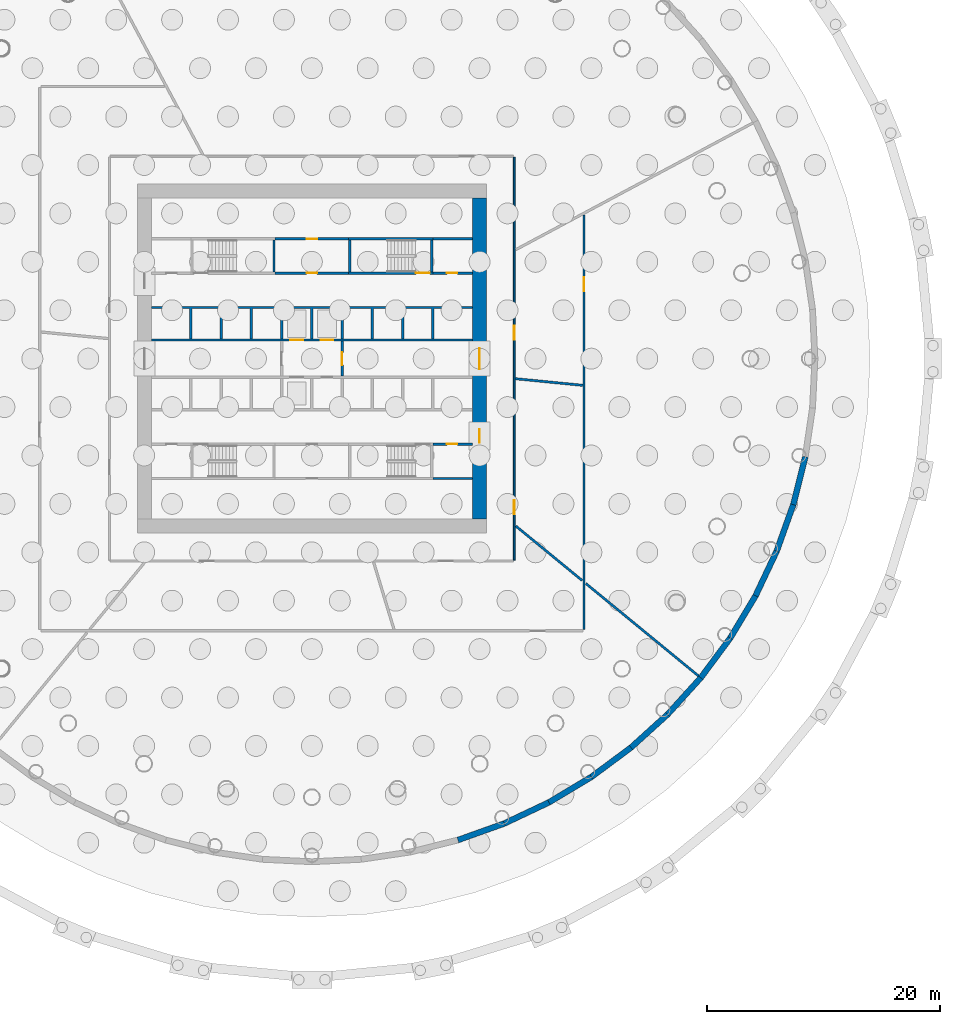
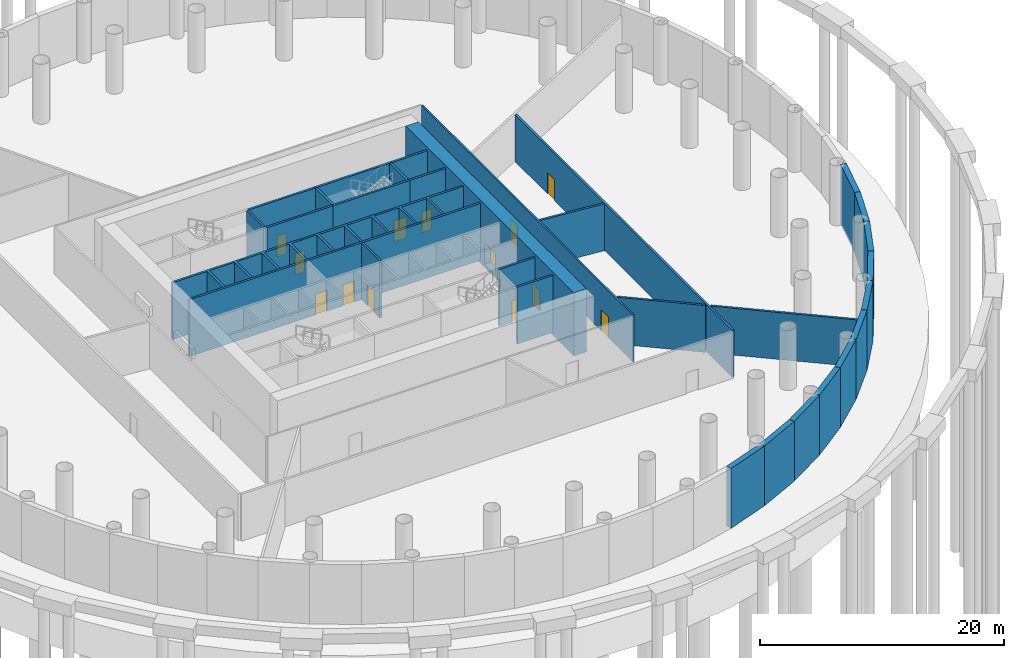
# One storey, part 7 of 12: 31 walls, 13 doors, 13 openings.
"""IFC4 building model written with IfcOpenShell, lengths in metres."""

import ifcopenshell
import ifcopenshell.guid

model = None  # the IFC model being written
_history = None  # IfcOwnerHistory: only IFC2X3 demands one
_inside = {}  # id of a spatial element -> (the spatial element, [elements in it])
_under = {}  # id of a project, library or spatial element -> (it, [spatial elements below it])
_declared = {}  # id of a project -> (the project, [libraries it declares])
_typed = {}  # id of a type object -> (the type object, [elements of that type])
_made_of = {}  # id of a material, layer set ... -> (it, [elements and type objects made of it])


def new_model(schema):
    """Start an empty IFC model of exactly this schema.

    Asked for "IFC4X3", IfcOpenShell would pick the latest addendum, in which some entities
    have other attributes; the version numbers below select the first issue.
    IFC2X3 requires an IfcOwnerHistory on every rooted entity: one is made here for all.
    """
    global model, _history
    if schema == "IFC4X3":
        model = ifcopenshell.file(schema_version=(4, 3, 0, 0))
    else:
        model = ifcopenshell.file(schema=schema)
    _inside.clear()
    _under.clear()
    _declared.clear()
    _typed.clear()
    _made_of.clear()
    _history = None
    if model.schema == "IFC2X3":
        org = make("IfcOrganization", Name="unknown")
        user = make(
            "IfcPersonAndOrganization",
            ThePerson=make("IfcPerson", FamilyName="unknown"),
            TheOrganization=org,
        )
        app = make(
            "IfcApplication",
            ApplicationDeveloper=org,
            Version="unknown",
            ApplicationFullName="unknown",
            ApplicationIdentifier="unknown",
        )
        _history = make(
            "IfcOwnerHistory",
            OwningUser=user,
            OwningApplication=app,
            ChangeAction="ADDED",
            CreationDate=0,
        )
    return model


def make(cls, **values):
    """One entity of the class cls with the attributes given. An attribute that is None is left unset."""
    return model.create_entity(
        cls, **{name: value for name, value in values.items() if value is not None}
    )


def rooted(cls, **values):
    """An entity with a GlobalId (a new one), such as an element, a storey or a relation."""
    return make(cls, GlobalId=ifcopenshell.guid.new(), OwnerHistory=_history, **values)


def si_unit(unit_type, name, prefix=None):
    """IfcSIUnit, for example si_unit("LENGTHUNIT", "METRE", prefix="MILLI")."""
    return make("IfcSIUnit", UnitType=unit_type, Prefix=prefix, Name=name)


def assignment(units):
    """IfcUnitAssignment: the units of a project."""
    return None if units is None else make("IfcUnitAssignment", Units=units)


def point(xyz):
    """IfcCartesianPoint."""
    return None if xyz is None else make("IfcCartesianPoint", Coordinates=xyz)


def direction(xyz):
    """IfcDirection."""
    return None if xyz is None else make("IfcDirection", DirectionRatios=xyz)


def frame(location, z_axis=None, x_axis=None):
    """IfcAxis2Placement3D, a coordinate frame: its origin and axes. An axis left out is left unset."""
    return make(
        "IfcAxis2Placement3D",
        Location=point(location),
        Axis=direction(z_axis),
        RefDirection=direction(x_axis),
    )


def frame_2d(location, x_axis=None):
    """IfcAxis2Placement2D, a coordinate frame in the plane: its origin and x axis."""
    return make(
        "IfcAxis2Placement2D", Location=point(location), RefDirection=direction(x_axis)
    )


def origin():
    """The frame at (0, 0, 0) with its axes left unset."""
    return frame((0.0, 0.0, 0.0))


def place(relative_to, where):
    """IfcLocalPlacement: puts the frame where relative to a parent placement (None: the world)."""
    return make(
        "IfcLocalPlacement", PlacementRelTo=relative_to, RelativePlacement=where
    )


def context(
    kind, dimensions, precision=None, world=None, true_north=None, identifier=None
):
    """IfcGeometricRepresentationContext, for example the 3D "Model" context."""
    return make(
        "IfcGeometricRepresentationContext",
        ContextIdentifier=identifier,
        ContextType=kind,
        CoordinateSpaceDimension=dimensions,
        Precision=precision,
        WorldCoordinateSystem=world,
        TrueNorth=true_north,
    )


def subcontext(parent, identifier, kind, view, scale=None):
    """IfcGeometricRepresentationSubContext, for example "Body" below "Model"."""
    return make(
        "IfcGeometricRepresentationSubContext",
        ContextIdentifier=identifier,
        ContextType=kind,
        ParentContext=parent,
        TargetScale=scale,
        TargetView=view,
    )


def project(units=None, contexts=None):
    """IfcProject with its units and contexts."""
    return rooted(
        "IfcProject",
        Name="project",
        RepresentationContexts=contexts,
        UnitsInContext=assignment(units),
    )


def spatial(cls, under=None, at=None, **own):
    """A site, building, storey or space (cls), placed at a placement, below another one or the project."""
    s = rooted(cls, ObjectPlacement=at, **own)
    if under is not None:
        _under.setdefault(under.id(), (under, []))[1].append(s)
    return s


def polyline(points):
    """IfcPolyline through the points."""
    return make("IfcPolyline", Points=[point(p) for p in points])


def profile(cls, at=None, kind="AREA", **sizes):
    """A parametric profile (cls). Its sizes go by their IFC names, for example OverallWidth=200.0."""
    return make(cls, ProfileType=kind, Position=at, **sizes)


def rectangle(**sizes):
    """IfcRectangleProfileDef."""
    return profile("IfcRectangleProfileDef", **sizes)


def outline(outer, holes=None, kind="AREA"):
    """IfcArbitraryClosedProfileDef: a profile drawn as a closed curve; with holes, ...WithVoids."""
    if holes is None:
        return make("IfcArbitraryClosedProfileDef", ProfileType=kind, OuterCurve=outer)
    return make(
        "IfcArbitraryProfileDefWithVoids",
        ProfileType=kind,
        OuterCurve=outer,
        InnerCurves=holes,
    )


def extrude(swept, where, along, depth):
    """IfcExtrudedAreaSolid: the profile swept, set in the frame where, extruded along a direction by depth."""
    return make(
        "IfcExtrudedAreaSolid",
        SweptArea=swept,
        Position=where,
        ExtrudedDirection=direction(along),
        Depth=depth,
    )


def shape(context_of_items, identifier, shape_type, items):
    """IfcShapeRepresentation: the items that make up one representation, for example the "Body"."""
    return make(
        "IfcShapeRepresentation",
        ContextOfItems=context_of_items,
        RepresentationIdentifier=identifier,
        RepresentationType=shape_type,
        Items=items,
    )


def material(Name=None, Category=None):
    """IfcMaterial."""
    return make("IfcMaterial", Name=Name, Category=Category)


def layer(
    of_material, thickness, ventilated=None, Name=None, Category=None, Priority=None
):
    """IfcMaterialLayer: one layer of a wall or slab, of a material (None: an air gap)."""
    return make(
        "IfcMaterialLayer",
        Material=of_material,
        LayerThickness=thickness,
        IsVentilated=ventilated,
        Name=Name,
        Category=Category,
        Priority=Priority,
    )


def layer_set(layers, Name=None):
    """IfcMaterialLayerSet."""
    return make("IfcMaterialLayerSet", MaterialLayers=layers, LayerSetName=Name)


def made_of(thing, what):
    """Note that an element or type object is made of a material, layer set ...; save() writes the relation."""
    if what is not None:
        _made_of.setdefault(what.id(), (what, []))[1].append(thing)
    return thing


def type_object(cls, material=None, **own):
    """A type object (cls), such as IfcWallType, which elements share."""
    return made_of(rooted(cls, **own), material)


def element(
    cls,
    number,
    at=None,
    inside=None,
    cuts=None,
    type_object=None,
    material=None,
    context=None,
    identifier="Body",
    shape_type=None,
    held_by="IfcProductDefinitionShape",
    body=None,
    shapes=None,
    **own,
):
    """One element of the class cls, such as IfcWall. Its Tag is "e" and its number.

    at: its placement. inside: the storey or other place that contains it. cuts: it is an
    opening in that element (IfcRelVoidsElement). A single representation is given by context,
    identifier, shape_type and body (its items); several are given by shapes. held_by: the class
    of the entity that holds the representations. save() writes the other relations.
    """
    e = rooted(cls, Tag="e%d" % number, ObjectPlacement=at, **own)
    if body is not None:
        shapes = [shape(context, identifier, shape_type, body)]
    if shapes is not None:
        e.Representation = make(held_by, Representations=shapes)
    if inside is not None:
        _inside.setdefault(inside.id(), (inside, []))[1].append(e)
    if cuts is not None:
        rooted(
            "IfcRelVoidsElement", RelatingBuildingElement=cuts, RelatedOpeningElement=e
        )
    if type_object is not None:
        _typed.setdefault(type_object.id(), (type_object, []))[1].append(e)
    return made_of(e, material)


def fill(opening, filler):
    """IfcRelFillsElement: the door or window that sits in an opening."""
    return rooted(
        "IfcRelFillsElement",
        RelatingOpeningElement=opening,
        RelatedBuildingElement=filler,
    )


def aggregate(whole, parts):
    """IfcRelAggregates: a whole, such as a stair, and the parts it consists of."""
    return rooted("IfcRelAggregates", RelatingObject=whole, RelatedObjects=parts)


def save(model, path):
    """Write the relations noted so far, then the file.

    IfcRelAggregates (storeys below a building ...), IfcRelContainedInSpatialStructure (elements
    in a storey), IfcRelDefinesByType, IfcRelAssociatesMaterial and IfcRelDeclares: one each for
    every whole, place, type object, material and project.
    """
    for whole, parts in _under.values():
        aggregate(whole, parts)
    for where, things in _inside.values():
        rooted(
            "IfcRelContainedInSpatialStructure",
            RelatedElements=things,
            RelatingStructure=where,
        )
    for kind, things in _typed.values():
        rooted("IfcRelDefinesByType", RelatedObjects=things, RelatingType=kind)
    for what, things in _made_of.values():
        rooted("IfcRelAssociatesMaterial", RelatedObjects=things, RelatingMaterial=what)
    for by, libraries in _declared.values():
        rooted("IfcRelDeclares", RelatingContext=by, RelatedDefinitions=libraries)
    model.write(path)


model = new_model("IFC4")

# Units and contexts
model_context = context("Model", 3, precision=1e-05, world=origin(), true_north=direction((0.0, 1.0)))
body_context = subcontext(model_context, "Body", "Model", "MODEL_VIEW")
ifc_project = project(units=[si_unit("LENGTHUNIT", "METRE"), si_unit("AREAUNIT", "SQUARE_METRE"), si_unit("VOLUMEUNIT", "CUBIC_METRE"), si_unit("PLANEANGLEUNIT", "RADIAN"), si_unit("MASSUNIT", "GRAM", prefix="KILO")], contexts=[model_context])

# Site, building, storey
site_placement = place(None, origin())
site = spatial("IfcSite", under=ifc_project, at=site_placement, CompositionType="ELEMENT")
building_placement = place(site_placement, origin())
building = spatial("IfcBuilding", under=site, at=building_placement, Name="Corvane Civic Tower", CompositionType="ELEMENT")
storey_placement = place(building_placement, frame((0.0, 0.0, -6.0)))
storey = spatial("IfcBuildingStorey", under=building, at=storey_placement, Name="B1", CompositionType="ELEMENT", Elevation=-6.0)

# Walls
ifc_material_1 = material(Name="Concrete C40/50", Category="concrete")
ifc_layer_1 = layer(ifc_material_1, 0.5)
ifc_layer_set_1 = layer_set([ifc_layer_1], Name="Concrete C40/50")
wall_type_1 = type_object("IfcWallType", Name="BASEMENT RETAINING WALL 500", PredefinedType="SOLIDWALL", material=ifc_layer_set_1)
wall_1_placement = place(storey_placement, frame((0.0, 0.0, -0.300048828125)))
element("IfcWall", 1, at=wall_1_placement, inside=storey, type_object=wall_type_1, Name="Basement retaining wall 36", PredefinedType="SOLIDWALL", context=body_context, shape_type="SweptSolid", body=[
    extrude(outline(polyline([(12.482177734375, -41.1484375), (16.455322265625, -39.726806640625), (16.64697265625, -40.189208984375), (12.62744140625, -41.62744140625), (12.482177734375, -41.1484375)])), origin(), (0.0, 0.0, 1.0), 6.0),
])
wall_2_placement = place(storey_placement, frame((0.0, 0.0, -0.300048828125)))
element("IfcWall", 2, at=wall_2_placement, inside=storey, type_object=wall_type_1, Name="Basement retaining wall 37", PredefinedType="SOLIDWALL", context=body_context, shape_type="SweptSolid", body=[
    extrude(outline(polyline([(16.455322265625, -39.726806640625), (20.27001953125, -37.922607421875), (20.506103515625, -38.364013671875), (16.64697265625, -40.189208984375), (16.455322265625, -39.726806640625)])), origin(), (0.0, 0.0, 1.0), 6.0),
])
wall_3_placement = place(storey_placement, frame((0.0, 0.0, -0.300048828125)))
element("IfcWall", 3, at=wall_3_placement, inside=storey, type_object=wall_type_1, Name="Basement retaining wall 38", PredefinedType="SOLIDWALL", context=body_context, shape_type="SweptSolid", body=[
    extrude(outline(polyline([(20.27001953125, -37.922607421875), (23.889404296875, -35.753173828125), (24.167724609375, -36.16943359375), (20.506103515625, -38.364013671875), (20.27001953125, -37.922607421875)])), origin(), (0.0, 0.0, 1.0), 6.0),
])
wall_4_placement = place(storey_placement, frame((0.0, 0.0, -0.300048828125)))
element("IfcWall", 4, at=wall_4_placement, inside=storey, type_object=wall_type_1, Name="Basement retaining wall 39", PredefinedType="SOLIDWALL", context=body_context, shape_type="SweptSolid", body=[
    extrude(outline(polyline([(23.889404296875, -35.753173828125), (27.27880859375, -33.239501953125), (27.596435546875, -33.62646484375), (24.167724609375, -36.16943359375), (23.889404296875, -35.753173828125)])), origin(), (0.0, 0.0, 1.0), 6.0),
])
wall_5_placement = place(storey_placement, frame((0.0, 0.0, -0.300048828125)))
element("IfcWall", 5, at=wall_5_placement, inside=storey, type_object=wall_type_1, Name="Basement retaining wall 40", PredefinedType="SOLIDWALL", context=body_context, shape_type="SweptSolid", body=[
    extrude(outline(polyline([(27.27880859375, -33.239501953125), (30.405517578125, -30.405517578125), (30.759521484375, -30.759521484375), (27.596435546875, -33.62646484375), (27.27880859375, -33.239501953125)])), origin(), (0.0, 0.0, 1.0), 6.0),
])
wall_6_placement = place(storey_placement, frame((0.0, 0.0, -0.300048828125)))
element("IfcWall", 6, at=wall_6_placement, inside=storey, type_object=wall_type_1, Name="Basement retaining wall 41", PredefinedType="SOLIDWALL", context=body_context, shape_type="SweptSolid", body=[
    extrude(outline(polyline([(30.405517578125, -30.405517578125), (33.239501953125, -27.27880859375), (33.62646484375, -27.596435546875), (30.759521484375, -30.759521484375), (30.405517578125, -30.405517578125)])), origin(), (0.0, 0.0, 1.0), 6.0),
])
wall_7_placement = place(storey_placement, frame((0.0, 0.0, -0.300048828125)))
element("IfcWall", 7, at=wall_7_placement, inside=storey, type_object=wall_type_1, Name="Basement retaining wall 42", PredefinedType="SOLIDWALL", context=body_context, shape_type="SweptSolid", body=[
    extrude(outline(polyline([(33.239501953125, -27.27880859375), (35.753173828125, -23.889404296875), (36.16943359375, -24.167724609375), (33.62646484375, -27.596435546875), (33.239501953125, -27.27880859375)])), origin(), (0.0, 0.0, 1.0), 6.0),
])
wall_8_placement = place(storey_placement, frame((0.0, 0.0, -0.300048828125)))
element("IfcWall", 8, at=wall_8_placement, inside=storey, type_object=wall_type_1, Name="Basement retaining wall 43", PredefinedType="SOLIDWALL", context=body_context, shape_type="SweptSolid", body=[
    extrude(outline(polyline([(35.753173828125, -23.889404296875), (37.922607421875, -20.27001953125), (38.364013671875, -20.506103515625), (36.16943359375, -24.167724609375), (35.753173828125, -23.889404296875)])), origin(), (0.0, 0.0, 1.0), 6.0),
])
wall_9_placement = place(storey_placement, frame((0.0, 0.0, -0.300048828125)))
element("IfcWall", 9, at=wall_9_placement, inside=storey, type_object=wall_type_1, Name="Basement retaining wall 44", PredefinedType="SOLIDWALL", context=body_context, shape_type="SweptSolid", body=[
    extrude(outline(polyline([(37.922607421875, -20.27001953125), (39.726806640625, -16.455322265625), (40.189208984375, -16.64697265625), (38.364013671875, -20.506103515625), (37.922607421875, -20.27001953125)])), origin(), (0.0, 0.0, 1.0), 6.0),
])
wall_10_placement = place(storey_placement, frame((0.0, 0.0, -0.300048828125)))
element("IfcWall", 10, at=wall_10_placement, inside=storey, type_object=wall_type_1, Name="Basement retaining wall 45", PredefinedType="SOLIDWALL", context=body_context, shape_type="SweptSolid", body=[
    extrude(outline(polyline([(39.726806640625, -16.455322265625), (41.1484375, -12.482177734375), (41.62744140625, -12.62744140625), (40.189208984375, -16.64697265625), (39.726806640625, -16.455322265625)])), origin(), (0.0, 0.0, 1.0), 6.0),
])
wall_11_placement = place(storey_placement, frame((0.0, 0.0, -0.300048828125)))
element("IfcWall", 11, at=wall_11_placement, inside=storey, type_object=wall_type_1, Name="Basement retaining wall 46", PredefinedType="SOLIDWALL", context=body_context, shape_type="SweptSolid", body=[
    extrude(outline(polyline([(41.1484375, -12.482177734375), (42.173828125, -8.388916015625), (42.664794921875, -8.486572265625), (41.62744140625, -12.62744140625), (41.1484375, -12.482177734375)])), origin(), (0.0, 0.0, 1.0), 6.0),
])

# Wall, openings, doors
ifc_material_2 = material(Name="Concrete C80/95", Category="concrete")
ifc_layer_2 = layer(ifc_material_2, 1.199951171875)
ifc_layer_set_2 = layer_set([ifc_layer_2], Name="Concrete C80/95")
wall_type_2 = type_object("IfcWallType", Name="CORE WALL 1200 C80/95", PredefinedType="SHEAR", material=ifc_layer_set_2)
wall_12_placement = place(storey_placement, frame((14.39990234375, -13.800048828125, -0.300048828125), z_axis=(0.0, 0.0, 1.0), x_axis=(0.0, 1.0, 0.0)))
wall_12 = element("IfcWall", 12, at=wall_12_placement, inside=storey, type_object=wall_type_2, Name="W-B1-core-E", PredefinedType="SHEAR", context=body_context, shape_type="SweptSolid", body=[
    extrude(rectangle(XDim=27.60009765625, YDim=1.199951171875, at=frame_2d((13.800048828125, 0.0))), origin(), (0.0, 0.0, 1.0), 6.300048828125),
])
opening_1_placement = place(wall_12_placement, frame((12.89990234375, 0.0, 0.300048828125)))
opening_1 = element("IfcOpeningElement", 13, at=opening_1_placement, cuts=wall_12, Name="Opening B1.C17", PredefinedType="OPENING", context=body_context, shape_type="SweptSolid", body=[
    extrude(rectangle(XDim=1.800048828125, YDim=2.10009765625, at=frame_2d((0.89990234375, 1.050048828125))), frame((0.0, 0.60986328125, 0.0), z_axis=(0.0, -1.0, 0.0), x_axis=(1.0, 0.0, 0.0)), (0.0, 0.0, 1.0), 1.219970703125),
])
opening_2_placement = place(wall_12_placement, frame((6.550048828125, 0.0, 0.300048828125)))
opening_2 = element("IfcOpeningElement", 14, at=opening_2_placement, cuts=wall_12, Name="Opening B1.C19", PredefinedType="OPENING", context=body_context, shape_type="SweptSolid", body=[
    extrude(rectangle(XDim=1.199951171875, YDim=2.10009765625, at=frame_2d((0.60009765625, 1.050048828125))), frame((0.0, 0.60986328125, 0.0), z_axis=(0.0, -1.0, 0.0), x_axis=(1.0, 0.0, 0.0)), (0.0, 0.0, 1.0), 1.219970703125),
])
ifc_material_3 = material(Name="Steel fire door leaf", Category="steel")
door_type_1 = type_object("IfcDoorType", Name="CR-DOOR-CORE-1800", OperationType="DOUBLE_DOOR_SINGLE_SWING", PredefinedType="DOOR", material=ifc_material_3)
door_1_placement = place(opening_1_placement, origin())
door_1 = element("IfcDoor", 15, at=door_1_placement, inside=storey, type_object=door_type_1, Name="B1 door", OperationType="DOUBLE_DOOR_SINGLE_SWING", OverallHeight=2.10009765625, OverallWidth=1.800048828125, PredefinedType="DOOR", context=body_context, shape_type="SweptSolid", body=[
    extrude(rectangle(XDim=1.800048828125, YDim=2.10009765625, at=frame_2d((0.89990234375, 1.050048828125))), frame((0.0, 0.02490234375, 0.0), z_axis=(0.0, -1.0, 0.0), x_axis=(1.0, 0.0, 0.0)), (0.0, 0.0, 1.0), 0.050048828125),
])
fill(opening_1, door_1)
door_2_placement = place(opening_2_placement, origin())
door_2 = element("IfcDoor", 16, at=door_2_placement, inside=storey, type_object=door_type_1, Name="B1 door", OperationType="DOUBLE_DOOR_SINGLE_SWING", OverallHeight=2.10009765625, OverallWidth=1.199951171875, PredefinedType="DOOR", context=body_context, shape_type="SweptSolid", body=[
    extrude(rectangle(XDim=1.199951171875, YDim=2.10009765625, at=frame_2d((0.60009765625, 1.050048828125))), frame((0.0, 0.02490234375, 0.0), z_axis=(0.0, -1.0, 0.0), x_axis=(1.0, 0.0, 0.0)), (0.0, 0.0, 1.0), 0.050048828125),
])
fill(opening_2, door_2)

# Wall, opening, door
ifc_material_4 = material(Name="Concrete C30/37", Category="concrete")
ifc_layer_3 = layer(ifc_material_4, 0.199951171875)
ifc_layer_set_3 = layer_set([ifc_layer_3], Name="Concrete C30/37")
wall_type_3 = type_object("IfcWallType", Name="CR-WALL-200", PredefinedType="PARTITIONING", material=ifc_layer_set_3)
wall_13_placement = place(storey_placement, frame((10.39990234375, -7.35009765625, 0.0), z_axis=(0.0, 0.0, 1.0), x_axis=(1.0, 0.0, 0.0)))
wall_13 = element("IfcWall", 17, at=wall_13_placement, inside=storey, type_object=wall_type_3, Name="B1 core partition wall", PredefinedType="PARTITIONING", context=body_context, shape_type="SweptSolid", body=[
    extrude(rectangle(XDim=3.400146484375, YDim=0.199951171875, at=frame_2d((1.7001953125, 0.0))), origin(), (0.0, 0.0, 1.0), 5.699951171875),
])
opening_3_placement = place(wall_13_placement, frame((1.199951171875, 0.0, 0.0)))
opening_3 = element("IfcOpeningElement", 18, at=opening_3_placement, cuts=wall_13, Name="Opening B1.C09", PredefinedType="OPENING", context=body_context, shape_type="SweptSolid", body=[
    extrude(rectangle(XDim=0.89990234375, YDim=2.10009765625, at=frame_2d((0.449951171875, 1.050048828125))), frame((0.0, 0.10986328125, 0.0), z_axis=(0.0, -1.0, 0.0), x_axis=(1.0, 0.0, 0.0)), (0.0, 0.0, 1.0), 0.219970703125),
])
ifc_material_5 = material(Name="Steel fire door leaf", Category="steel")
door_type_2 = type_object("IfcDoorType", Name="CR-DOOR-900", OperationType="SINGLE_SWING_LEFT", PredefinedType="DOOR", material=ifc_material_5)
door_3_placement = place(opening_3_placement, origin())
door_3 = element("IfcDoor", 19, at=door_3_placement, inside=storey, type_object=door_type_2, Name="B1 door", OperationType="SINGLE_SWING_LEFT", OverallHeight=2.10009765625, OverallWidth=0.89990234375, PredefinedType="DOOR", context=body_context, shape_type="SweptSolid", body=[
    extrude(rectangle(XDim=0.89990234375, YDim=2.10009765625, at=frame_2d((0.449951171875, 1.050048828125))), frame((0.0, 0.02490234375, 0.0), z_axis=(0.0, -1.0, 0.0), x_axis=(1.0, 0.0, 0.0)), (0.0, 0.0, 1.0), 0.050048828125),
])
fill(opening_3, door_3)

# Wall, openings, doors
wall_14_placement = place(storey_placement, frame((-13.800048828125, 1.60009765625, 0.0), z_axis=(0.0, 0.0, 1.0), x_axis=(1.0, 0.0, 0.0)))
wall_14 = element("IfcWall", 20, at=wall_14_placement, inside=storey, type_object=wall_type_3, Name="B1 lift shaft wall", PredefinedType="PARTITIONING", context=body_context, shape_type="SweptSolid", body=[
    extrude(rectangle(XDim=27.60009765625, YDim=0.199951171875, at=frame_2d((13.800048828125, 0.0))), origin(), (0.0, 0.0, 1.0), 5.699951171875),
])
opening_4_placement = place(wall_14_placement, frame((11.949951171875, 0.0, 0.0)))
opening_4 = element("IfcOpeningElement", 21, at=opening_4_placement, cuts=wall_14, Name="Opening LD", PredefinedType="OPENING", context=body_context, shape_type="SweptSolid", body=[
    extrude(rectangle(XDim=1.10009765625, YDim=2.10009765625, at=frame_2d((0.550048828125, 1.050048828125))), frame((0.0, 0.10986328125, 0.0), z_axis=(0.0, -1.0, 0.0), x_axis=(1.0, 0.0, 0.0)), (0.0, 0.0, 1.0), 0.219970703125),
])
opening_5_placement = place(wall_14_placement, frame((14.550048828125, 0.0, 0.0)))
opening_5 = element("IfcOpeningElement", 22, at=opening_5_placement, cuts=wall_14, Name="Opening LD", PredefinedType="OPENING", context=body_context, shape_type="SweptSolid", body=[
    extrude(rectangle(XDim=1.10009765625, YDim=2.10009765625, at=frame_2d((0.550048828125, 1.050048828125))), frame((0.0, 0.10986328125, 0.0), z_axis=(0.0, -1.0, 0.0), x_axis=(1.0, 0.0, 0.0)), (0.0, 0.0, 1.0), 0.219970703125),
])
ifc_material_6 = material(Name="Stainless steel 316 door leaves", Category="steel")
door_type_3 = type_object("IfcDoorType", Name="LD", OperationType="DOUBLE_DOOR_SLIDING", PredefinedType="DOOR", material=ifc_material_6)
door_4_placement = place(opening_4_placement, origin())
door_4 = element("IfcDoor", 23, at=door_4_placement, inside=storey, type_object=door_type_3, Name="B1 landing door", OperationType="DOUBLE_DOOR_SLIDING", OverallHeight=2.10009765625, OverallWidth=1.10009765625, PredefinedType="DOOR", context=body_context, shape_type="SweptSolid", body=[
    extrude(rectangle(XDim=1.10009765625, YDim=2.10009765625, at=frame_2d((0.550048828125, 1.050048828125))), frame((0.0, 0.02490234375, 0.0), z_axis=(0.0, -1.0, 0.0), x_axis=(1.0, 0.0, 0.0)), (0.0, 0.0, 1.0), 0.050048828125),
])
fill(opening_4, door_4)
door_5_placement = place(opening_5_placement, origin())
door_5 = element("IfcDoor", 24, at=door_5_placement, inside=storey, type_object=door_type_3, Name="B1 landing door", OperationType="DOUBLE_DOOR_SLIDING", OverallHeight=2.10009765625, OverallWidth=1.10009765625, PredefinedType="DOOR", context=body_context, shape_type="SweptSolid", body=[
    extrude(rectangle(XDim=1.10009765625, YDim=2.10009765625, at=frame_2d((0.550048828125, 1.050048828125))), frame((0.0, 0.02490234375, 0.0), z_axis=(0.0, -1.0, 0.0), x_axis=(1.0, 0.0, 0.0)), (0.0, 0.0, 1.0), 0.050048828125),
])
fill(opening_5, door_5)

# Wall, opening, door
wall_15_placement = place(storey_placement, frame((-3.14990234375, 7.35009765625, 0.0), z_axis=(0.0, 0.0, 1.0), x_axis=(1.0, 0.0, 0.0)))
wall_15 = element("IfcWall", 25, at=wall_15_placement, inside=storey, type_object=wall_type_3, Name="B1 core partition wall", PredefinedType="PARTITIONING", context=body_context, shape_type="SweptSolid", body=[
    extrude(rectangle(XDim=6.2998046875, YDim=0.199951171875, at=frame_2d((3.14990234375, 0.0))), origin(), (0.0, 0.0, 1.0), 5.699951171875),
])
opening_6_placement = place(wall_15_placement, frame((2.699951171875, 0.0, 0.0)))
opening_6 = element("IfcOpeningElement", 26, at=opening_6_placement, cuts=wall_15, Name="Opening B1.C02", PredefinedType="OPENING", context=body_context, shape_type="SweptSolid", body=[
    extrude(rectangle(XDim=0.89990234375, YDim=2.10009765625, at=frame_2d((0.449951171875, 1.050048828125))), frame((0.0, 0.10986328125, 0.0), z_axis=(0.0, -1.0, 0.0), x_axis=(1.0, 0.0, 0.0)), (0.0, 0.0, 1.0), 0.219970703125),
])
door_6_placement = place(opening_6_placement, origin())
door_6 = element("IfcDoor", 27, at=door_6_placement, inside=storey, type_object=door_type_2, Name="B1 door", OperationType="SINGLE_SWING_LEFT", OverallHeight=2.10009765625, OverallWidth=0.89990234375, PredefinedType="DOOR", context=body_context, shape_type="SweptSolid", body=[
    extrude(rectangle(XDim=0.89990234375, YDim=2.10009765625, at=frame_2d((0.449951171875, 1.050048828125))), frame((0.0, 0.02490234375, 0.0), z_axis=(0.0, -1.0, 0.0), x_axis=(1.0, 0.0, 0.0)), (0.0, 0.0, 1.0), 0.050048828125),
])
fill(opening_6, door_6)

wall_16_placement = place(storey_placement, frame((10.39990234375, 7.35009765625, 0.0), z_axis=(0.0, 0.0, 1.0), x_axis=(1.0, 0.0, 0.0)))
wall_16 = element("IfcWall", 28, at=wall_16_placement, inside=storey, type_object=wall_type_3, Name="B1 core partition wall", PredefinedType="PARTITIONING", context=body_context, shape_type="SweptSolid", body=[
    extrude(rectangle(XDim=3.400146484375, YDim=0.199951171875, at=frame_2d((1.7001953125, 0.0))), origin(), (0.0, 0.0, 1.0), 5.699951171875),
])
opening_7_placement = place(wall_16_placement, frame((1.199951171875, 0.0, 0.0)))
opening_7 = element("IfcOpeningElement", 29, at=opening_7_placement, cuts=wall_16, Name="Opening B1.C08", PredefinedType="OPENING", context=body_context, shape_type="SweptSolid", body=[
    extrude(rectangle(XDim=0.89990234375, YDim=2.10009765625, at=frame_2d((0.449951171875, 1.050048828125))), frame((0.0, 0.10986328125, 0.0), z_axis=(0.0, -1.0, 0.0), x_axis=(1.0, 0.0, 0.0)), (0.0, 0.0, 1.0), 0.219970703125),
])
door_7_placement = place(opening_7_placement, origin())
door_7 = element("IfcDoor", 30, at=door_7_placement, inside=storey, type_object=door_type_2, Name="B1 door", OperationType="SINGLE_SWING_LEFT", OverallHeight=2.10009765625, OverallWidth=0.89990234375, PredefinedType="DOOR", context=body_context, shape_type="SweptSolid", body=[
    extrude(rectangle(XDim=0.89990234375, YDim=2.10009765625, at=frame_2d((0.449951171875, 1.050048828125))), frame((0.0, 0.02490234375, 0.0), z_axis=(0.0, -1.0, 0.0), x_axis=(1.0, 0.0, 0.0)), (0.0, 0.0, 1.0), 0.050048828125),
])
fill(opening_7, door_7)

wall_17_placement = place(storey_placement, frame((-3.14990234375, 10.300048828125, 0.0), z_axis=(0.0, 0.0, 1.0), x_axis=(1.0, 0.0, 0.0)))
wall_17 = element("IfcWall", 31, at=wall_17_placement, inside=storey, type_object=wall_type_3, Name="B1 partition wall", PredefinedType="PARTITIONING", context=body_context, shape_type="SweptSolid", body=[
    extrude(rectangle(XDim=6.2998046875, YDim=0.199951171875, at=frame_2d((3.14990234375, 0.0))), origin(), (0.0, 0.0, 1.0), 5.699951171875),
])
opening_8_placement = place(wall_17_placement, frame((2.699951171875, 0.0, 0.0)))
opening_8 = element("IfcOpeningElement", 32, at=opening_8_placement, cuts=wall_17, Name="Opening B1.C04", PredefinedType="OPENING", context=body_context, shape_type="SweptSolid", body=[
    extrude(rectangle(XDim=0.89990234375, YDim=2.10009765625, at=frame_2d((0.449951171875, 1.050048828125))), frame((0.0, 0.10986328125, 0.0), z_axis=(0.0, -1.0, 0.0), x_axis=(1.0, 0.0, 0.0)), (0.0, 0.0, 1.0), 0.219970703125),
])
door_8_placement = place(opening_8_placement, origin())
door_8 = element("IfcDoor", 33, at=door_8_placement, inside=storey, type_object=door_type_2, Name="B1 door", OperationType="SINGLE_SWING_LEFT", OverallHeight=2.10009765625, OverallWidth=0.89990234375, PredefinedType="DOOR", context=body_context, shape_type="SweptSolid", body=[
    extrude(rectangle(XDim=0.89990234375, YDim=2.10009765625, at=frame_2d((0.449951171875, 1.050048828125))), frame((0.0, 0.02490234375, 0.0), z_axis=(0.0, -1.0, 0.0), x_axis=(1.0, 0.0, 0.0)), (0.0, 0.0, 1.0), 0.050048828125),
])
fill(opening_8, door_8)

wall_18_placement = place(storey_placement, frame((2.60009765625, -1.5, 0.0), z_axis=(0.0, 0.0, 1.0), x_axis=(0.0, 1.0, 0.0)))
wall_18 = element("IfcWall", 34, at=wall_18_placement, inside=storey, type_object=wall_type_3, Name="B1 firefighting lobby wall", PredefinedType="PARTITIONING", context=body_context, shape_type="SweptSolid", body=[
    extrude(rectangle(XDim=3.0, YDim=0.199951171875, at=frame_2d((1.5, 0.0))), origin(), (0.0, 0.0, 1.0), 5.699951171875),
])
opening_9_placement = place(wall_18_placement, frame((0.949951171875, 0.0, 0.0)))
opening_9 = element("IfcOpeningElement", 35, at=opening_9_placement, cuts=wall_18, Name="Opening B1.C15", PredefinedType="OPENING", context=body_context, shape_type="SweptSolid", body=[
    extrude(rectangle(XDim=1.10009765625, YDim=2.10009765625, at=frame_2d((0.550048828125, 1.050048828125))), frame((0.0, 0.10986328125, 0.0), z_axis=(0.0, -1.0, 0.0), x_axis=(1.0, 0.0, 0.0)), (0.0, 0.0, 1.0), 0.219970703125),
])
ifc_material_7 = material(Name="Steel fire door leaf", Category="steel")
door_type_4 = type_object("IfcDoorType", Name="CR-DOOR-FFL-1100", OperationType="SINGLE_SWING_LEFT", PredefinedType="DOOR", material=ifc_material_7)
door_9_placement = place(opening_9_placement, origin())
door_9 = element("IfcDoor", 36, at=door_9_placement, inside=storey, type_object=door_type_4, Name="B1 lobby door", OperationType="SINGLE_SWING_LEFT", OverallHeight=2.10009765625, OverallWidth=1.10009765625, PredefinedType="DOOR", context=body_context, shape_type="SweptSolid", body=[
    extrude(rectangle(XDim=1.10009765625, YDim=2.10009765625, at=frame_2d((0.550048828125, 1.050048828125))), frame((0.0, 0.02490234375, 0.0), z_axis=(0.0, -1.0, 0.0), x_axis=(1.0, 0.0, 0.0)), (0.0, 0.0, 1.0), 0.050048828125),
])
fill(opening_9, door_9)

# Walls
wall_19_placement = place(storey_placement, origin())
element("IfcWall", 37, at=wall_19_placement, inside=storey, type_object=wall_type_3, Name="B1 core partition wall", PredefinedType="PARTITIONING", context=body_context, shape_type="SweptSolid", body=[
    extrude(outline(polyline([(-7.699951171875, 4.300048828125), (-7.699951171875, 1.699951171875), (-7.89990234375, 1.699951171875), (-7.89990234375, 4.300048828125), (-10.300048828125, 4.300048828125), (-10.300048828125, 1.699951171875), (-10.5, 1.699951171875), (-10.5, 4.300048828125), (-13.800048828125, 4.300048828125), (-13.800048828125, 4.5), (13.800048828125, 4.5), (13.800048828125, 4.300048828125), (10.5, 4.300048828125), (10.5, 1.699951171875), (10.300048828125, 1.699951171875), (10.300048828125, 4.300048828125), (7.89990234375, 4.300048828125), (7.89990234375, 1.699951171875), (7.699951171875, 1.699951171875), (7.699951171875, 4.300048828125), (5.300048828125, 4.300048828125), (5.300048828125, 1.699951171875), (5.10009765625, 1.699951171875), (5.10009765625, 4.300048828125), (2.699951171875, 4.300048828125), (2.699951171875, 1.699951171875), (2.5, 1.699951171875), (2.5, 4.300048828125), (0.10009765625, 4.300048828125), (0.10009765625, 1.699951171875), (-0.10009765625, 1.699951171875), (-0.10009765625, 4.300048828125), (-2.5, 4.300048828125), (-2.5, 1.699951171875), (-2.699951171875, 1.699951171875), (-2.699951171875, 4.300048828125), (-5.10009765625, 4.300048828125), (-5.10009765625, 1.699951171875), (-5.300048828125, 1.699951171875), (-5.300048828125, 4.300048828125), (-7.699951171875, 4.300048828125)])), origin(), (0.0, 0.0, 1.0), 5.699951171875),
])
wall_20_placement = place(storey_placement, origin())
element("IfcWall", 38, at=wall_20_placement, inside=storey, type_object=wall_type_3, Name="B1 core partition wall", PredefinedType="PARTITIONING", context=body_context, shape_type="SweptSolid", body=[
    extrude(outline(polyline([(13.800048828125, -10.39990234375), (10.39990234375, -10.39990234375), (10.39990234375, -10.199951171875), (13.800048828125, -10.199951171875), (13.800048828125, -10.39990234375)])), origin(), (0.0, 0.0, 1.0), 5.699951171875),
])
wall_21_placement = place(storey_placement, origin())
element("IfcWall", 39, at=wall_21_placement, inside=storey, type_object=wall_type_3, Name="B1 core partition wall", PredefinedType="PARTITIONING", context=body_context, shape_type="SweptSolid", body=[
    extrude(outline(polyline([(10.39990234375, 10.199951171875), (10.39990234375, 10.39990234375), (13.800048828125, 10.39990234375), (13.800048828125, 10.199951171875), (10.39990234375, 10.199951171875)])), origin(), (0.0, 0.0, 1.0), 5.699951171875),
])
ifc_material_8 = material(Name="Gypsum fibreboard")
ifc_layer_4 = layer(ifc_material_8, 0.199951171875)
ifc_layer_set_4 = layer_set([ifc_layer_4], Name="Gypsum fibreboard")
wall_type_4 = type_object("IfcWallType", Name="Plant and refuge wall 200 EI 120", PredefinedType="PARTITIONING", material=ifc_layer_set_4)
wall_22_placement = place(storey_placement, frame((23.5634765625, -19.337890625, 0.0), z_axis=(0.0, 0.0, 1.0), x_axis=(0.773008379744, -0.634395810867, 0.0)))
element("IfcWall", 40, at=wall_22_placement, inside=storey, type_object=wall_type_4, Name="Partition B1.002", PredefinedType="PARTITIONING", context=body_context, shape_type="SweptSolid", body=[
    extrude(rectangle(XDim=12.517578125, YDim=0.199951171875, at=frame_2d((6.2587890625, 0.0))), origin(), (0.0, 0.0, 1.0), 4.699951171875),
])

# Wall, opening, door
wall_23_placement = place(storey_placement, frame((23.39990234375, -23.300048828125, 0.0), z_axis=(0.0, 0.0, 1.0), x_axis=(0.0, 1.0, 0.0)))
wall_23 = element("IfcWall", 41, at=wall_23_placement, inside=storey, type_object=wall_type_4, Name="Partition B1.006", PredefinedType="PARTITIONING", context=body_context, shape_type="SweptSolid", body=[
    extrude(rectangle(XDim=35.640869140625, YDim=0.199951171875, at=frame_2d((17.8203125, 0.0))), origin(), (0.0, 0.0, 1.0), 4.699951171875),
])
opening_10_placement = place(wall_23_placement, frame((29.11572265625, 0.0, 0.0)))
opening_10 = element("IfcOpeningElement", 42, at=opening_10_placement, cuts=wall_23, Name="Opening B1.005", PredefinedType="OPENING", context=body_context, shape_type="SweptSolid", body=[
    extrude(rectangle(XDim=1.199951171875, YDim=2.10009765625, at=frame_2d((0.60009765625, 1.050048828125))), frame((0.0, 0.10986328125, 0.0), z_axis=(0.0, -1.0, 0.0), x_axis=(1.0, 0.0, 0.0)), (0.0, 0.0, 1.0), 0.219970703125),
])
ifc_material_9 = material(Name="Steel and timber", Category="steel")
door_type_5 = type_object("IfcDoorType", Name="Fire door FD60 1200", OperationType="NOTDEFINED", PredefinedType="DOOR", material=ifc_material_9)
door_10_placement = place(opening_10_placement, frame((1.199951171875, 0.0, 0.0), z_axis=(0.0, 0.0, 1.0), x_axis=(-1.0, 0.0, 0.0)))
door_10 = element("IfcDoor", 43, at=door_10_placement, inside=storey, type_object=door_type_5, Name="Door B1.005", OperationType="SINGLE_SWING_LEFT", OverallHeight=2.10009765625, OverallWidth=1.199951171875, PredefinedType="DOOR", context=body_context, shape_type="SweptSolid", body=[
    extrude(rectangle(XDim=1.199951171875, YDim=2.10009765625, at=frame_2d((0.60009765625, 1.050048828125))), frame((0.0, 0.02490234375, 0.0), z_axis=(0.0, -1.0, 0.0), x_axis=(1.0, 0.0, 0.0)), (0.0, 0.0, 1.0), 0.050048828125),
])
fill(opening_10, door_10)

# Walls
wall_24_placement = place(storey_placement, frame((17.538330078125, -14.393310546875, 0.0), z_axis=(0.0, 0.0, 1.0), x_axis=(0.77301674883, -0.634385613037, 0.0)))
element("IfcWall", 44, at=wall_24_placement, inside=storey, type_object=wall_type_4, Name="Partition B1.008", PredefinedType="PARTITIONING", context=body_context, shape_type="SweptSolid", body=[
    extrude(rectangle(XDim=7.37353515625, YDim=0.199951171875, at=frame_2d((3.686767578125, 0.0))), origin(), (0.0, 0.0, 1.0), 4.699951171875),
])
wall_25_placement = place(storey_placement, frame((17.48486328125, -1.72216796875, 0.0), z_axis=(0.0, 0.0, 1.0), x_axis=(0.995184837225, -0.098016017864, 0.0)))
element("IfcWall", 45, at=wall_25_placement, inside=storey, type_object=wall_type_4, Name="Partition B1.012", PredefinedType="PARTITIONING", context=body_context, shape_type="SweptSolid", body=[
    extrude(rectangle(XDim=5.83349609375, YDim=0.199951171875, at=frame_2d((2.916748046875, 0.0))), origin(), (0.0, 0.0, 1.0), 4.699951171875),
])

# Wall, opening, door
ifc_material_10 = material(Name="Concrete C50/60", Category="concrete")
ifc_layer_5 = layer(ifc_material_10, 0.199951171875)
ifc_layer_set_5 = layer_set([ifc_layer_5], Name="Concrete C50/60")
wall_type_5 = type_object("IfcWallType", Name="ST-WALL-200", PredefinedType="SHEAR", material=ifc_layer_set_5)
wall_26_placement = place(storey_placement, frame((3.14990234375, 7.35009765625, 0.0), z_axis=(0.0, 0.0, 1.0), x_axis=(1.0, 0.0, 0.0)))
wall_26 = element("IfcWall", 46, at=wall_26_placement, inside=storey, type_object=wall_type_5, Name="B1 stair enclosure wall", PredefinedType="SHEAR", context=body_context, shape_type="SweptSolid", body=[
    extrude(rectangle(XDim=7.25, YDim=0.199951171875, at=frame_2d((3.625, 0.0))), origin(), (0.0, 0.0, 1.0), 5.699951171875),
])
opening_11_placement = place(wall_26_placement, frame((5.800048828125, 0.0, 0.0)))
opening_11 = element("IfcOpeningElement", 47, at=opening_11_placement, cuts=wall_26, Name="Opening B1.C10", PredefinedType="OPENING", context=body_context, shape_type="SweptSolid", body=[
    extrude(rectangle(XDim=1.199951171875, YDim=2.10009765625, at=frame_2d((0.60009765625, 1.050048828125))), frame((0.0, 0.10986328125, 0.0), z_axis=(0.0, -1.0, 0.0), x_axis=(1.0, 0.0, 0.0)), (0.0, 0.0, 1.0), 0.219970703125),
])
ifc_material_11 = material(Name="Steel fire door leaf", Category="steel")
door_type_6 = type_object("IfcDoorType", Name="ST-DOOR-1200", OperationType="SINGLE_SWING_RIGHT", PredefinedType="DOOR", material=ifc_material_11)
door_11_placement = place(opening_11_placement, origin())
door_11 = element("IfcDoor", 48, at=door_11_placement, inside=storey, type_object=door_type_6, Name="B1 stair door", OperationType="SINGLE_SWING_RIGHT", OverallHeight=2.10009765625, OverallWidth=1.199951171875, PredefinedType="DOOR", context=body_context, shape_type="SweptSolid", body=[
    extrude(rectangle(XDim=1.199951171875, YDim=2.10009765625, at=frame_2d((0.60009765625, 1.050048828125))), frame((0.0, 0.02490234375, 0.0), z_axis=(0.0, -1.0, 0.0), x_axis=(1.0, 0.0, 0.0)), (0.0, 0.0, 1.0), 0.050048828125),
])
fill(opening_11, door_11)

# Walls
wall_27_placement = place(storey_placement, origin())
element("IfcWall", 49, at=wall_27_placement, inside=storey, type_object=wall_type_5, Name="B1 stair enclosure wall", PredefinedType="SHEAR", context=body_context, shape_type="SweptSolid", body=[
    extrude(outline(polyline([(10.39990234375, 10.199951171875), (3.14990234375, 10.199951171875), (3.14990234375, 10.39990234375), (10.39990234375, 10.39990234375), (10.39990234375, 10.199951171875)])), origin(), (0.0, 0.0, 1.0), 5.699951171875),
])
wall_28_placement = place(storey_placement, origin())
element("IfcWall", 50, at=wall_28_placement, inside=storey, type_object=wall_type_5, Name="B1 stair enclosure wall", PredefinedType="SHEAR", context=body_context, shape_type="SweptSolid", body=[
    extrude(outline(polyline([(-3.14990234375, 7.449951171875), (-3.35009765625, 7.449951171875), (-3.35009765625, 10.199951171875), (-3.14990234375, 10.199951171875), (-3.14990234375, 7.449951171875)])), origin(), (0.0, 0.0, 1.0), 5.699951171875),
])
wall_29_placement = place(storey_placement, origin())
element("IfcWall", 51, at=wall_29_placement, inside=storey, type_object=wall_type_5, Name="B1 stair enclosure wall", PredefinedType="SHEAR", context=body_context, shape_type="SweptSolid", body=[
    extrude(outline(polyline([(3.35009765625, 7.449951171875), (3.14990234375, 7.449951171875), (3.14990234375, 10.199951171875), (3.35009765625, 10.199951171875), (3.35009765625, 7.449951171875)])), origin(), (0.0, 0.0, 1.0), 5.699951171875),
])
wall_30_placement = place(storey_placement, origin())
element("IfcWall", 52, at=wall_30_placement, inside=storey, type_object=wall_type_5, Name="B1 stair enclosure wall", PredefinedType="SHEAR", context=body_context, shape_type="SweptSolid", body=[
    extrude(outline(polyline([(10.39990234375, 7.449951171875), (10.199951171875, 7.449951171875), (10.199951171875, 10.199951171875), (10.39990234375, 10.199951171875), (10.39990234375, 7.449951171875)])), origin(), (0.0, 0.0, 1.0), 5.699951171875),
])

# Wall, openings, doors
ifc_material_12 = material(Name="Plasterboard")
ifc_layer_6 = layer(ifc_material_12, 0.14990234375)
ifc_layer_set_6 = layer_set([ifc_layer_6], Name="Plasterboard")
wall_type_6 = type_object("IfcWallType", Name="Tenancy wall 150 EI 60", PredefinedType="PARTITIONING", material=ifc_layer_set_6)
wall_31_placement = place(storey_placement, frame((17.39990234375, -17.324951171875, 0.0), z_axis=(0.0, 0.0, 1.0), x_axis=(0.0, 1.0, 0.0)))
wall_31 = element("IfcWall", 53, at=wall_31_placement, inside=storey, type_object=wall_type_6, Name="Partition B1.011", PredefinedType="PARTITIONING", context=body_context, shape_type="SweptSolid", body=[
    extrude(rectangle(XDim=34.64990234375, YDim=0.14990234375, at=frame_2d((17.324951171875, 0.0))), origin(), (0.0, 0.0, 1.0), 4.699951171875),
])
opening_12_placement = place(wall_31_placement, frame((18.948974609375, 0.0, 0.0)))
opening_12 = element("IfcOpeningElement", 54, at=opening_12_placement, cuts=wall_31, Name="Opening B1.006", PredefinedType="OPENING", context=body_context, shape_type="SweptSolid", body=[
    extrude(rectangle(XDim=1.199951171875, YDim=2.10009765625, at=frame_2d((0.60009765625, 1.050048828125))), frame((0.0, 0.0849609375, 0.0), z_axis=(0.0, -1.0, 0.0), x_axis=(1.0, 0.0, 0.0)), (0.0, 0.0, 1.0), 0.169921875),
])
opening_13_placement = place(wall_31_placement, frame((3.96875, 0.0, 0.0)))
opening_13 = element("IfcOpeningElement", 55, at=opening_13_placement, cuts=wall_31, Name="Opening B1.007", PredefinedType="OPENING", context=body_context, shape_type="SweptSolid", body=[
    extrude(rectangle(XDim=1.199951171875, YDim=2.10009765625, at=frame_2d((0.60009765625, 1.050048828125))), frame((0.0, 0.0849609375, 0.0), z_axis=(0.0, -1.0, 0.0), x_axis=(1.0, 0.0, 0.0)), (0.0, 0.0, 1.0), 0.169921875),
])
door_12_placement = place(opening_12_placement, frame((1.199951171875, 0.0, 0.0), z_axis=(0.0, 0.0, 1.0), x_axis=(-1.0, 0.0, 0.0)))
door_12 = element("IfcDoor", 56, at=door_12_placement, inside=storey, type_object=door_type_5, Name="Door B1.006", OperationType="SINGLE_SWING_RIGHT", OverallHeight=2.10009765625, OverallWidth=1.199951171875, PredefinedType="DOOR", context=body_context, shape_type="SweptSolid", body=[
    extrude(rectangle(XDim=1.199951171875, YDim=2.10009765625, at=frame_2d((0.60009765625, 1.050048828125))), frame((0.0, 0.02490234375, 0.0), z_axis=(0.0, -1.0, 0.0), x_axis=(1.0, 0.0, 0.0)), (0.0, 0.0, 1.0), 0.050048828125),
])
fill(opening_12, door_12)
door_13_placement = place(opening_13_placement, frame((1.199951171875, 0.0, 0.0), z_axis=(0.0, 0.0, 1.0), x_axis=(-1.0, 0.0, 0.0)))
door_13 = element("IfcDoor", 57, at=door_13_placement, inside=storey, type_object=door_type_5, Name="Door B1.007", OperationType="SINGLE_SWING_LEFT", OverallHeight=2.10009765625, OverallWidth=1.199951171875, PredefinedType="DOOR", context=body_context, shape_type="SweptSolid", body=[
    extrude(rectangle(XDim=1.199951171875, YDim=2.10009765625, at=frame_2d((0.60009765625, 1.050048828125))), frame((0.0, 0.02490234375, 0.0), z_axis=(0.0, -1.0, 0.0), x_axis=(1.0, 0.0, 0.0)), (0.0, 0.0, 1.0), 0.050048828125),
])
fill(opening_13, door_13)

save(model, "model.ifc")
